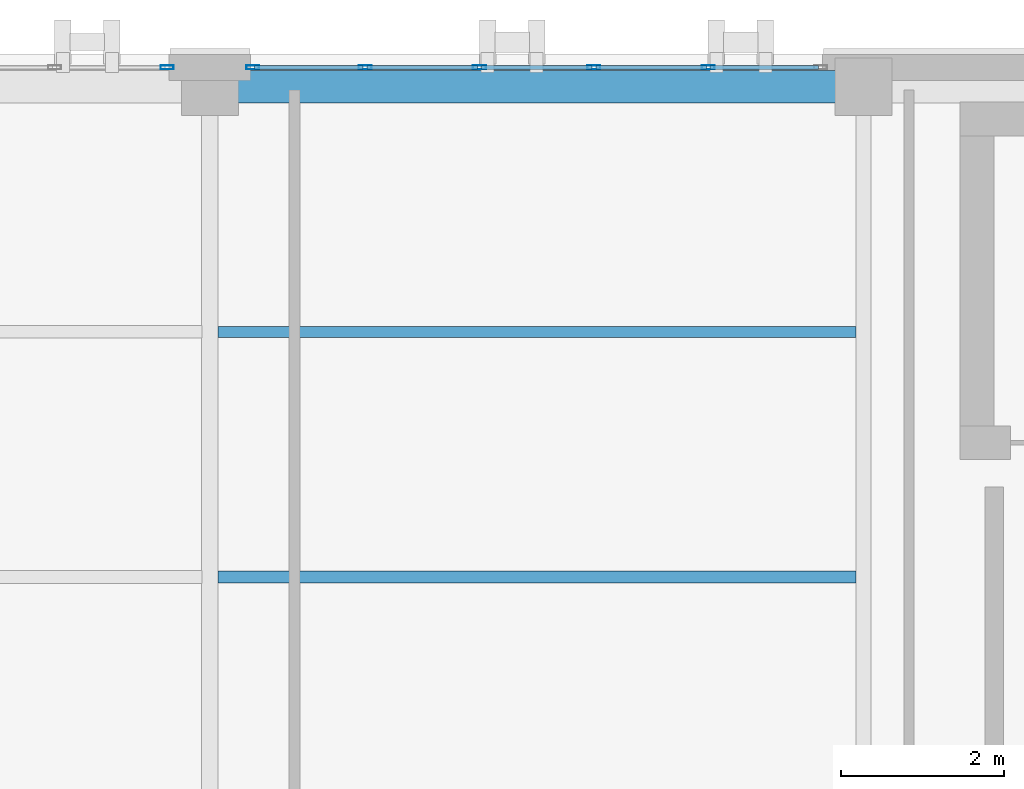
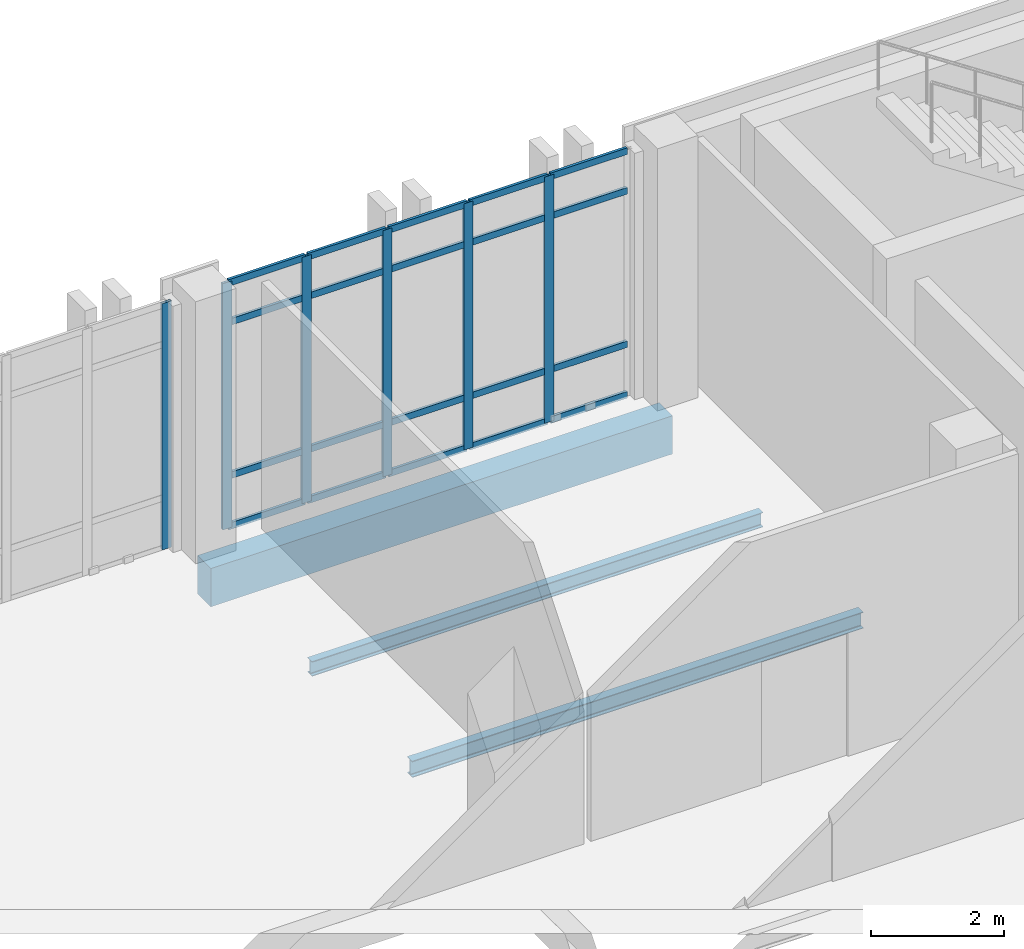
# One storey, part 89 of 189: 26 members, 3 beams, 2 elements without a shape of their own.
"""IFC4 building model written with IfcOpenShell, lengths in metres."""

from ifc_helpers import new_model, si_unit, direction, frame, origin, origin_2d, place, context, subcontext, project, spatial, rectangle, hollow_rectangle, i_section, extrude, material, layer, layer_set, material_profile, profile_set, type_object, element, aggregate, save


model = new_model("IFC4")

# Units and contexts
model_context = context("Model", 3, precision=1e-05, world=origin(), true_north=direction((0.0, 1.0)))
body_context = subcontext(model_context, "Body", "Model", "MODEL_VIEW")
ifc_project = project(units=[si_unit("LENGTHUNIT", "METRE"), si_unit("AREAUNIT", "SQUARE_METRE"), si_unit("VOLUMEUNIT", "CUBIC_METRE"), si_unit("PLANEANGLEUNIT", "RADIAN"), si_unit("MASSUNIT", "GRAM", prefix="KILO")], contexts=[model_context])

# Site, building, storey
site_placement = place(None, origin())
site = spatial("IfcSite", under=ifc_project, at=site_placement, CompositionType="ELEMENT")
building_placement = place(site_placement, origin())
building = spatial("IfcBuilding", under=site, at=building_placement, Name="Qalavern Law Courts", CompositionType="ELEMENT")
storey_placement = place(building_placement, frame((0.0, 0.0, 5.39990234375)))
storey = spatial("IfcBuildingStorey", under=building, at=storey_placement, Name="L01", CompositionType="ELEMENT", Elevation=5.39990234375)

# Curtain wall, members
ifc_material_1 = material(Name="Anodised aluminium and insulated glazing", Category="aluminium")
ifc_layer = layer(ifc_material_1, 0.166015625)
ifc_layer_set = layer_set([ifc_layer], Name="Anodised aluminium and insulated glazing")
curtain_wall_type = type_object("IfcCurtainWallType", Name="ENV-CW-LIB", PredefinedType="USERDEFINED", material=ifc_layer_set)
curtain_wall_1_placement = place(storey_placement, origin())
curtain_wall_1 = element("IfcCurtainWall", 1, at=curtain_wall_1_placement, inside=storey, type_object=curtain_wall_type, Name="V5 unitised curtain wall L01 north 6", ObjectType="UNITISED CURTAIN WALL", PredefinedType="USERDEFINED")
ifc_material_2 = material(Name="Anodised aluminium", Category="aluminium")
ifc_material_profile_1 = material_profile(ifc_material_2, hollow_rectangle(XDim=0.048095703125, YDim=0.159912109375, WallThickness=0.00390625, at=origin_2d()), Name="ALU MULLION 48x160")
ifc_profile_set_1 = profile_set([ifc_material_profile_1], Name="Anodised aluminium")
member_type_1 = type_object("IfcMemberType", Name="ENV-CWM-48x160", PredefinedType="MULLION", material=ifc_profile_set_1)
member_1_placement = place(storey_placement, frame((16.5, 112.83740234375, 0.0), z_axis=(0.0, 0.0, 1.0), x_axis=(0.0, -1.0, 0.0)))
member_1 = element("IfcMember", 2, at=member_1_placement, type_object=member_type_1, Name="CW-05 mullion 2", PredefinedType="MULLION", context=body_context, shape_type="SweptSolid", body=[
    extrude(hollow_rectangle(XDim=0.048095703125, YDim=0.159912109375, WallThickness=0.00390625, at=origin_2d()), origin(), (0.0, 0.0, 1.0), 4.510009765625),
])
member_2_placement = place(storey_placement, frame((15.10009765625, 112.83740234375, 0.0), z_axis=(0.0, 0.0, 1.0), x_axis=(0.0, -1.0, 0.0)))
member_2 = element("IfcMember", 3, at=member_2_placement, type_object=member_type_1, Name="CW-05 mullion 3", PredefinedType="MULLION", context=body_context, shape_type="SweptSolid", body=[
    extrude(hollow_rectangle(XDim=0.048095703125, YDim=0.159912109375, WallThickness=0.00390625, at=origin_2d()), origin(), (0.0, 0.0, 1.0), 4.510009765625),
])
member_3_placement = place(storey_placement, frame((13.699951171875, 112.83740234375, 0.0), z_axis=(0.0, 0.0, 1.0), x_axis=(0.0, -1.0, 0.0)))
member_3 = element("IfcMember", 4, at=member_3_placement, type_object=member_type_1, Name="CW-05 mullion 4", PredefinedType="MULLION", context=body_context, shape_type="SweptSolid", body=[
    extrude(hollow_rectangle(XDim=0.048095703125, YDim=0.159912109375, WallThickness=0.00390625, at=origin_2d()), origin(), (0.0, 0.0, 1.0), 4.510009765625),
])
member_4_placement = place(storey_placement, frame((12.300048828125, 112.83740234375, 0.0), z_axis=(0.0, 0.0, 1.0), x_axis=(0.0, -1.0, 0.0)))
member_4 = element("IfcMember", 5, at=member_4_placement, type_object=member_type_1, Name="CW-05 mullion 5", PredefinedType="MULLION", context=body_context, shape_type="SweptSolid", body=[
    extrude(hollow_rectangle(XDim=0.048095703125, YDim=0.159912109375, WallThickness=0.00390625, at=origin_2d()), origin(), (0.0, 0.0, 1.0), 4.510009765625),
])
member_5_placement = place(storey_placement, frame((10.924072265625, 112.83740234375, 0.0), z_axis=(0.0, 0.0, 1.0), x_axis=(0.0, -1.0, 0.0)))
member_5 = element("IfcMember", 6, at=member_5_placement, type_object=member_type_1, Name="CW-05 mullion 6", PredefinedType="MULLION", context=body_context, shape_type="SweptSolid", body=[
    extrude(hollow_rectangle(XDim=0.048095703125, YDim=0.159912109375, WallThickness=0.00390625, at=origin_2d()), origin(), (0.0, 0.0, 1.0), 4.510009765625),
])

# Curtain wall, member
curtain_wall_2_placement = place(storey_placement, origin())
curtain_wall_2 = element("IfcCurtainWall", 7, at=curtain_wall_2_placement, inside=storey, type_object=curtain_wall_type, Name="V5 unitised curtain wall L01 north 7", ObjectType="UNITISED CURTAIN WALL", PredefinedType="USERDEFINED")
member_6_placement = place(storey_placement, frame((9.8759765625, 112.83740234375, 0.0), z_axis=(0.0, 0.0, 1.0), x_axis=(0.0, -1.0, 0.0)))
member_6 = element("IfcMember", 8, at=member_6_placement, type_object=member_type_1, Name="CW-05 mullion 1", PredefinedType="MULLION", context=body_context, shape_type="SweptSolid", body=[
    extrude(hollow_rectangle(XDim=0.048095703125, YDim=0.159912109375, WallThickness=0.00390625, at=origin_2d()), origin(), (0.0, 0.0, 1.0), 4.510009765625),
])
aggregate(curtain_wall_2, [member_6])

# Member
ifc_material_profile_2 = material_profile(ifc_material_2, hollow_rectangle(XDim=0.048095703125, YDim=0.1201171875, WallThickness=0.00390625, at=origin_2d()), Name="ALU TRANSOM 48x120")
ifc_profile_set_2 = profile_set([ifc_material_profile_2], Name="Anodised aluminium")
member_type_2 = type_object("IfcMemberType", Name="ENV-CWT-48x120", PredefinedType="USERDEFINED", material=ifc_profile_set_2)
member_7_placement = place(storey_placement, frame((17.85205078125, 112.83740234375, 0.024169921875), z_axis=(-1.0, 0.0, 0.0), x_axis=(0.0, -1.0, 0.0)))
member_7 = element("IfcMember", 9, at=member_7_placement, type_object=member_type_2, Name="CW-05 transom 1.1", ObjectType="TRANSOM", PredefinedType="USERDEFINED", context=body_context, shape_type="SweptSolid", body=[
    extrude(hollow_rectangle(XDim=0.048095703125, YDim=0.1201171875, WallThickness=0.00390625, at=origin_2d()), origin(), (0.0, 0.0, 1.0), 1.328125),
])

member_8_placement = place(storey_placement, frame((17.85205078125, 112.83740234375, 0.9501953125), z_axis=(-1.0, 0.0, 0.0), x_axis=(0.0, -1.0, 0.0)))
member_8 = element("IfcMember", 10, at=member_8_placement, type_object=member_type_2, Name="CW-05 transom 1.2", ObjectType="TRANSOM", PredefinedType="USERDEFINED", context=body_context, shape_type="SweptSolid", body=[
    extrude(hollow_rectangle(XDim=0.048095703125, YDim=0.1201171875, WallThickness=0.00390625, at=origin_2d()), origin(), (0.0, 0.0, 1.0), 1.328125),
])

member_9_placement = place(storey_placement, frame((17.85205078125, 112.83740234375, 3.760009765625), z_axis=(-1.0, 0.0, 0.0), x_axis=(0.0, -1.0, 0.0)))
member_9 = element("IfcMember", 11, at=member_9_placement, type_object=member_type_2, Name="CW-05 transom 1.3", ObjectType="TRANSOM", PredefinedType="USERDEFINED", context=body_context, shape_type="SweptSolid", body=[
    extrude(hollow_rectangle(XDim=0.048095703125, YDim=0.1201171875, WallThickness=0.00390625, at=origin_2d()), origin(), (0.0, 0.0, 1.0), 1.328125),
])

member_10_placement = place(storey_placement, frame((17.85205078125, 112.83740234375, 4.486083984375), z_axis=(-1.0, 0.0, 0.0), x_axis=(0.0, -1.0, 0.0)))
member_10 = element("IfcMember", 12, at=member_10_placement, type_object=member_type_2, Name="CW-05 transom 1.4", ObjectType="TRANSOM", PredefinedType="USERDEFINED", context=body_context, shape_type="SweptSolid", body=[
    extrude(hollow_rectangle(XDim=0.048095703125, YDim=0.1201171875, WallThickness=0.00390625, at=origin_2d()), origin(), (0.0, 0.0, 1.0), 1.328125),
])

member_11_placement = place(storey_placement, frame((16.47607421875, 112.83740234375, 0.024169921875), z_axis=(-1.0, 0.0, 0.0), x_axis=(0.0, -1.0, 0.0)))
member_11 = element("IfcMember", 13, at=member_11_placement, type_object=member_type_2, Name="CW-05 transom 2.1", ObjectType="TRANSOM", PredefinedType="USERDEFINED", context=body_context, shape_type="SweptSolid", body=[
    extrude(hollow_rectangle(XDim=0.048095703125, YDim=0.1201171875, WallThickness=0.00390625, at=origin_2d()), origin(), (0.0, 0.0, 1.0), 1.35205078125),
])

member_12_placement = place(storey_placement, frame((16.47607421875, 112.83740234375, 0.9501953125), z_axis=(-1.0, 0.0, 0.0), x_axis=(0.0, -1.0, 0.0)))
member_12 = element("IfcMember", 14, at=member_12_placement, type_object=member_type_2, Name="CW-05 transom 2.2", ObjectType="TRANSOM", PredefinedType="USERDEFINED", context=body_context, shape_type="SweptSolid", body=[
    extrude(hollow_rectangle(XDim=0.048095703125, YDim=0.1201171875, WallThickness=0.00390625, at=origin_2d()), origin(), (0.0, 0.0, 1.0), 1.35205078125),
])

member_13_placement = place(storey_placement, frame((16.47607421875, 112.83740234375, 3.760009765625), z_axis=(-1.0, 0.0, 0.0), x_axis=(0.0, -1.0, 0.0)))
member_13 = element("IfcMember", 15, at=member_13_placement, type_object=member_type_2, Name="CW-05 transom 2.3", ObjectType="TRANSOM", PredefinedType="USERDEFINED", context=body_context, shape_type="SweptSolid", body=[
    extrude(hollow_rectangle(XDim=0.048095703125, YDim=0.1201171875, WallThickness=0.00390625, at=origin_2d()), origin(), (0.0, 0.0, 1.0), 1.35205078125),
])

member_14_placement = place(storey_placement, frame((16.47607421875, 112.83740234375, 4.486083984375), z_axis=(-1.0, 0.0, 0.0), x_axis=(0.0, -1.0, 0.0)))
member_14 = element("IfcMember", 16, at=member_14_placement, type_object=member_type_2, Name="CW-05 transom 2.4", ObjectType="TRANSOM", PredefinedType="USERDEFINED", context=body_context, shape_type="SweptSolid", body=[
    extrude(hollow_rectangle(XDim=0.048095703125, YDim=0.1201171875, WallThickness=0.00390625, at=origin_2d()), origin(), (0.0, 0.0, 1.0), 1.35205078125),
])

member_15_placement = place(storey_placement, frame((15.075927734375, 112.83740234375, 0.024169921875), z_axis=(-1.0, 0.0, 0.0), x_axis=(0.0, -1.0, 0.0)))
member_15 = element("IfcMember", 17, at=member_15_placement, type_object=member_type_2, Name="CW-05 transom 3.1", ObjectType="TRANSOM", PredefinedType="USERDEFINED", context=body_context, shape_type="SweptSolid", body=[
    extrude(hollow_rectangle(XDim=0.048095703125, YDim=0.1201171875, WallThickness=0.00390625, at=origin_2d()), origin(), (0.0, 0.0, 1.0), 1.351806640625),
])

member_16_placement = place(storey_placement, frame((15.075927734375, 112.83740234375, 0.9501953125), z_axis=(-1.0, 0.0, 0.0), x_axis=(0.0, -1.0, 0.0)))
member_16 = element("IfcMember", 18, at=member_16_placement, type_object=member_type_2, Name="CW-05 transom 3.2", ObjectType="TRANSOM", PredefinedType="USERDEFINED", context=body_context, shape_type="SweptSolid", body=[
    extrude(hollow_rectangle(XDim=0.048095703125, YDim=0.1201171875, WallThickness=0.00390625, at=origin_2d()), origin(), (0.0, 0.0, 1.0), 1.351806640625),
])

member_17_placement = place(storey_placement, frame((15.075927734375, 112.83740234375, 3.760009765625), z_axis=(-1.0, 0.0, 0.0), x_axis=(0.0, -1.0, 0.0)))
member_17 = element("IfcMember", 19, at=member_17_placement, type_object=member_type_2, Name="CW-05 transom 3.3", ObjectType="TRANSOM", PredefinedType="USERDEFINED", context=body_context, shape_type="SweptSolid", body=[
    extrude(hollow_rectangle(XDim=0.048095703125, YDim=0.1201171875, WallThickness=0.00390625, at=origin_2d()), origin(), (0.0, 0.0, 1.0), 1.351806640625),
])

member_18_placement = place(storey_placement, frame((15.075927734375, 112.83740234375, 4.486083984375), z_axis=(-1.0, 0.0, 0.0), x_axis=(0.0, -1.0, 0.0)))
member_18 = element("IfcMember", 20, at=member_18_placement, type_object=member_type_2, Name="CW-05 transom 3.4", ObjectType="TRANSOM", PredefinedType="USERDEFINED", context=body_context, shape_type="SweptSolid", body=[
    extrude(hollow_rectangle(XDim=0.048095703125, YDim=0.1201171875, WallThickness=0.00390625, at=origin_2d()), origin(), (0.0, 0.0, 1.0), 1.351806640625),
])

member_19_placement = place(storey_placement, frame((13.676025390625, 112.83740234375, 0.024169921875), z_axis=(-1.0, 0.0, 0.0), x_axis=(0.0, -1.0, 0.0)))
member_19 = element("IfcMember", 21, at=member_19_placement, type_object=member_type_2, Name="CW-05 transom 4.1", ObjectType="TRANSOM", PredefinedType="USERDEFINED", context=body_context, shape_type="SweptSolid", body=[
    extrude(hollow_rectangle(XDim=0.048095703125, YDim=0.1201171875, WallThickness=0.00390625, at=origin_2d()), origin(), (0.0, 0.0, 1.0), 1.35205078125),
])

member_20_placement = place(storey_placement, frame((13.676025390625, 112.83740234375, 0.9501953125), z_axis=(-1.0, 0.0, 0.0), x_axis=(0.0, -1.0, 0.0)))
member_20 = element("IfcMember", 22, at=member_20_placement, type_object=member_type_2, Name="CW-05 transom 4.2", ObjectType="TRANSOM", PredefinedType="USERDEFINED", context=body_context, shape_type="SweptSolid", body=[
    extrude(hollow_rectangle(XDim=0.048095703125, YDim=0.1201171875, WallThickness=0.00390625, at=origin_2d()), origin(), (0.0, 0.0, 1.0), 1.35205078125),
])

member_21_placement = place(storey_placement, frame((13.676025390625, 112.83740234375, 3.760009765625), z_axis=(-1.0, 0.0, 0.0), x_axis=(0.0, -1.0, 0.0)))
member_21 = element("IfcMember", 23, at=member_21_placement, type_object=member_type_2, Name="CW-05 transom 4.3", ObjectType="TRANSOM", PredefinedType="USERDEFINED", context=body_context, shape_type="SweptSolid", body=[
    extrude(hollow_rectangle(XDim=0.048095703125, YDim=0.1201171875, WallThickness=0.00390625, at=origin_2d()), origin(), (0.0, 0.0, 1.0), 1.35205078125),
])

member_22_placement = place(storey_placement, frame((13.676025390625, 112.83740234375, 4.486083984375), z_axis=(-1.0, 0.0, 0.0), x_axis=(0.0, -1.0, 0.0)))
member_22 = element("IfcMember", 24, at=member_22_placement, type_object=member_type_2, Name="CW-05 transom 4.4", ObjectType="TRANSOM", PredefinedType="USERDEFINED", context=body_context, shape_type="SweptSolid", body=[
    extrude(hollow_rectangle(XDim=0.048095703125, YDim=0.1201171875, WallThickness=0.00390625, at=origin_2d()), origin(), (0.0, 0.0, 1.0), 1.35205078125),
])

member_23_placement = place(storey_placement, frame((12.27587890625, 112.83740234375, 0.024169921875), z_axis=(-1.0, 0.0, 0.0), x_axis=(0.0, -1.0, 0.0)))
member_23 = element("IfcMember", 25, at=member_23_placement, type_object=member_type_2, Name="CW-05 transom 5.1", ObjectType="TRANSOM", PredefinedType="USERDEFINED", context=body_context, shape_type="SweptSolid", body=[
    extrude(hollow_rectangle(XDim=0.048095703125, YDim=0.1201171875, WallThickness=0.00390625, at=origin_2d()), origin(), (0.0, 0.0, 1.0), 1.327880859375),
])

member_24_placement = place(storey_placement, frame((12.27587890625, 112.83740234375, 0.9501953125), z_axis=(-1.0, 0.0, 0.0), x_axis=(0.0, -1.0, 0.0)))
member_24 = element("IfcMember", 26, at=member_24_placement, type_object=member_type_2, Name="CW-05 transom 5.2", ObjectType="TRANSOM", PredefinedType="USERDEFINED", context=body_context, shape_type="SweptSolid", body=[
    extrude(hollow_rectangle(XDim=0.048095703125, YDim=0.1201171875, WallThickness=0.00390625, at=origin_2d()), origin(), (0.0, 0.0, 1.0), 1.327880859375),
])

member_25_placement = place(storey_placement, frame((12.27587890625, 112.83740234375, 3.760009765625), z_axis=(-1.0, 0.0, 0.0), x_axis=(0.0, -1.0, 0.0)))
member_25 = element("IfcMember", 27, at=member_25_placement, type_object=member_type_2, Name="CW-05 transom 5.3", ObjectType="TRANSOM", PredefinedType="USERDEFINED", context=body_context, shape_type="SweptSolid", body=[
    extrude(hollow_rectangle(XDim=0.048095703125, YDim=0.1201171875, WallThickness=0.00390625, at=origin_2d()), origin(), (0.0, 0.0, 1.0), 1.327880859375),
])

member_26_placement = place(storey_placement, frame((12.27587890625, 112.83740234375, 4.486083984375), z_axis=(-1.0, 0.0, 0.0), x_axis=(0.0, -1.0, 0.0)))
member_26 = element("IfcMember", 28, at=member_26_placement, type_object=member_type_2, Name="CW-05 transom 5.4", ObjectType="TRANSOM", PredefinedType="USERDEFINED", context=body_context, shape_type="SweptSolid", body=[
    extrude(hollow_rectangle(XDim=0.048095703125, YDim=0.1201171875, WallThickness=0.00390625, at=origin_2d()), origin(), (0.0, 0.0, 1.0), 1.327880859375),
])

aggregate(curtain_wall_1, [member_1, member_2, member_3, member_4, member_5, member_7, member_8, member_9, member_10, member_11, member_12, member_13, member_14, member_15, member_16, member_17, member_18, member_19, member_20, member_21, member_22, member_23, member_24, member_25, member_26])

# Beams
ifc_material_3 = material(Name="Steel S355", Category="steel")
ifc_material_profile_3 = material_profile(ifc_material_3, i_section(OverallWidth=0.135009765625, OverallDepth=0.27001953125, WebThickness=0.006591796875, FlangeThickness=0.01025390625, FilletRadius=0.014892578125, at=origin_2d()), Name="IPE 270")
ifc_profile_set_3 = profile_set([ifc_material_profile_3], Name="Steel S355")
beam_type_1 = type_object("IfcBeamType", Name="STR-JST-IPE270", PredefinedType="JOIST", material=ifc_profile_set_3)
beam_1_placement = place(storey_placement, frame((10.498046875, 109.60009765625, -0.434814453125), z_axis=(1.0, 0.0, 0.0), x_axis=(0.0, 1.0, 0.0)))
element("IfcBeam", 29, at=beam_1_placement, inside=storey, type_object=beam_type_1, Name="V5 secondary joist 2.2.2 L01", PredefinedType="JOIST", context=body_context, shape_type="SweptSolid", body=[
    extrude(i_section(OverallWidth=0.135009765625, OverallDepth=0.27001953125, WebThickness=0.006591796875, FlangeThickness=0.01025390625, FilletRadius=0.014892578125, at=origin_2d()), origin(), (0.0, 0.0, 1.0), 7.81396484375),
])
ifc_material_profile_4 = material_profile(ifc_material_3, i_section(OverallWidth=0.14990234375, OverallDepth=0.300048828125, WebThickness=0.007080078125, FlangeThickness=0.0107421875, FilletRadius=0.014892578125, at=origin_2d()), Name="IPE 300")
ifc_profile_set_4 = profile_set([ifc_material_profile_4], Name="Steel S355")
beam_type_2 = type_object("IfcBeamType", Name="STR-JST-IPE300", PredefinedType="JOIST", material=ifc_profile_set_4)
beam_2_placement = place(storey_placement, frame((10.498046875, 106.60009765625, -0.449951171875), z_axis=(1.0, 0.0, 0.0), x_axis=(0.0, 1.0, 0.0)))
element("IfcBeam", 30, at=beam_2_placement, inside=storey, type_object=beam_type_2, Name="V5 secondary joist 2.2.1 L01", PredefinedType="JOIST", context=body_context, shape_type="SweptSolid", body=[
    extrude(i_section(OverallWidth=0.14990234375, OverallDepth=0.300048828125, WebThickness=0.007080078125, FlangeThickness=0.0107421875, FilletRadius=0.014892578125, at=origin_2d()), origin(), (0.0, 0.0, 1.0), 7.81396484375),
])
ifc_material_4 = material(Name="Concrete C40/50", Category="concrete")
ifc_material_profile_5 = material_profile(ifc_material_4, rectangle(XDim=0.39990234375, YDim=0.699951171875, at=origin_2d()), Name="RC 400x700")
ifc_profile_set_5 = profile_set([ifc_material_profile_5], Name="Concrete C40/50")
beam_type_3 = type_object("IfcBeamType", Name="STR-SP-RC400x700", PredefinedType="SPANDREL", material=ifc_profile_set_5)
beam_3_placement = place(storey_placement, frame((10.39990234375, 112.60009765625, -0.64990234375), z_axis=(1.0, 0.0, 0.0), x_axis=(0.0, 1.0, 0.0)))
element("IfcBeam", 31, at=beam_3_placement, inside=storey, type_object=beam_type_3, Name="V5 X-beam 3-2 L01", PredefinedType="SPANDREL", context=body_context, shape_type="SweptSolid", body=[
    extrude(rectangle(XDim=0.39990234375, YDim=0.699951171875, at=origin_2d()), origin(), (0.0, 0.0, 1.0), 8.0),
])

save(model, "model.ifc")
